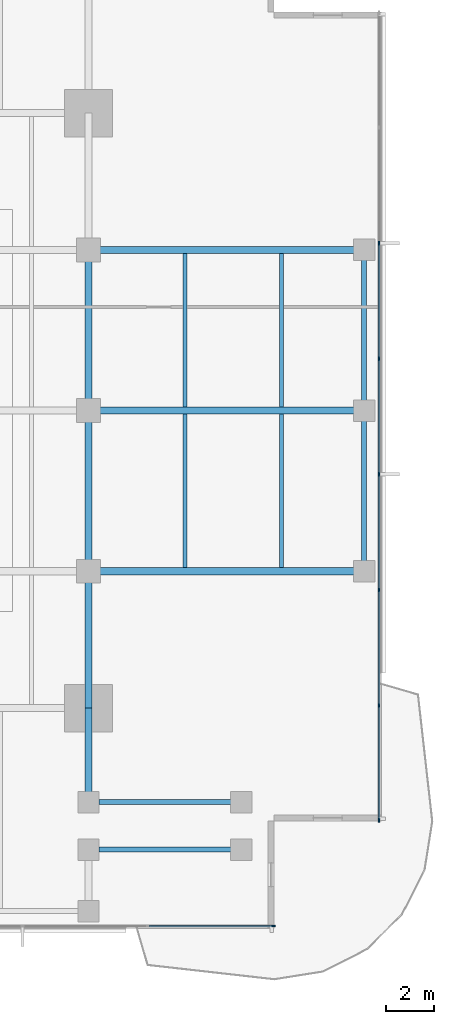
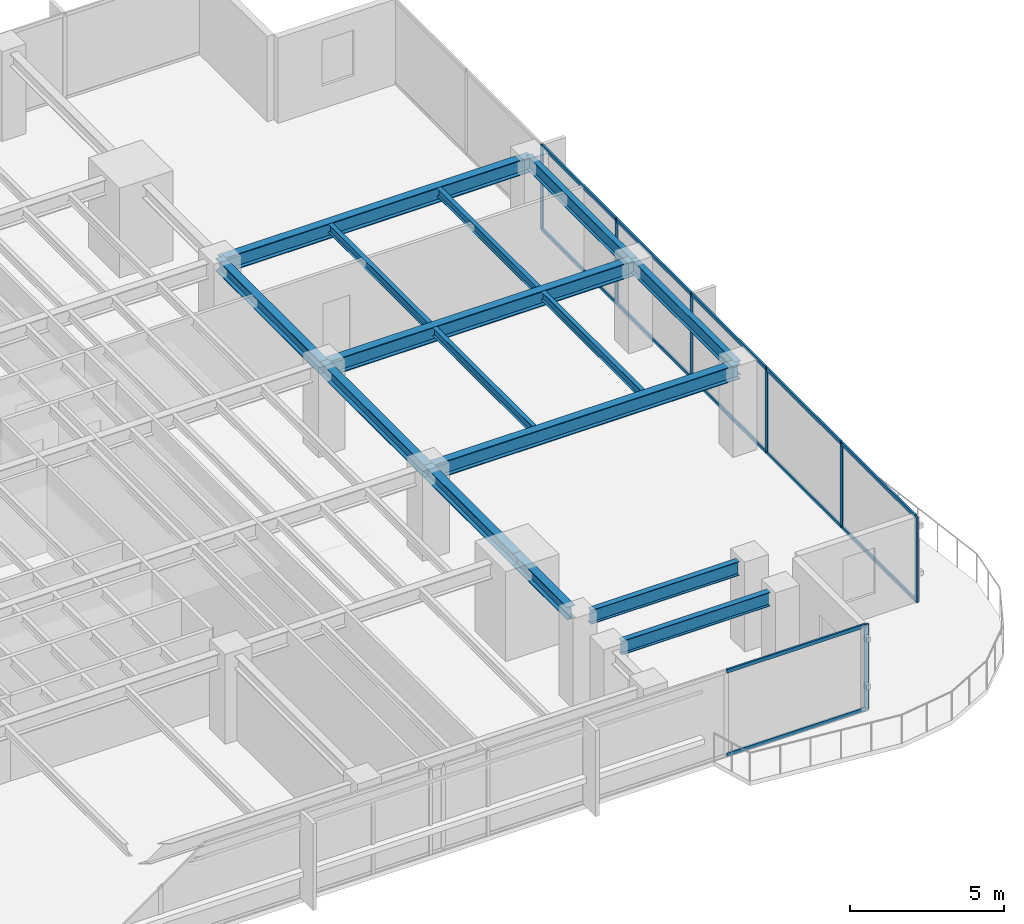
# One storey, part 4 of 14: 19 members, 15 beams, 2 elements without a shape of their own.
"""IFC4 building model written with IfcOpenShell, lengths in metres."""

from ifc_helpers import new_model, si_unit, direction, frame, origin, origin_2d, place, context, subcontext, project, spatial, rectangle, i_section, extrude, material, layer, layer_set, material_profile, profile_set, type_object, element, aggregate, save


model = new_model("IFC4")

# Units and contexts
model_context = context("Model", 3, precision=1e-05, world=origin(), true_north=direction((0.0, 1.0)))
body_context = subcontext(model_context, "Body", "Model", "MODEL_VIEW")
ifc_project = project(units=[si_unit("LENGTHUNIT", "METRE"), si_unit("AREAUNIT", "SQUARE_METRE"), si_unit("VOLUMEUNIT", "CUBIC_METRE"), si_unit("PLANEANGLEUNIT", "RADIAN"), si_unit("MASSUNIT", "GRAM", prefix="KILO")], contexts=[model_context])

# Site, building, storey
site_placement = place(None, origin())
site = spatial("IfcSite", under=ifc_project, at=site_placement, CompositionType="ELEMENT")
building_placement = place(site_placement, origin())
building = spatial("IfcBuilding", under=site, at=building_placement, Name="Kinhvarn Gate Tower", CompositionType="ELEMENT")
storey_placement = place(building_placement, frame((0.0, 0.0, 162.60009765625)))
storey = spatial("IfcBuildingStorey", under=building, at=storey_placement, Name="L43", CompositionType="ELEMENT", Elevation=162.60009765625)

# Curtain wall, member
ifc_material_1 = material(Name="Anodised aluminium AW-6063", Category="aluminium")
ifc_layer = layer(ifc_material_1, 0.179931640625)
ifc_layer_set = layer_set([ifc_layer], Name="Anodised aluminium AW-6063")
curtain_wall_type = type_object("IfcCurtainWallType", Name="CW-SYS-3", PredefinedType="NOTDEFINED", material=ifc_layer_set)
curtain_wall_1_placement = place(storey_placement, origin())
curtain_wall_1 = element("IfcCurtainWall", 1, at=curtain_wall_1_placement, inside=storey, type_object=curtain_wall_type, Name="Curtain Wall CW3 (L43)", PredefinedType="NOTDEFINED")
ifc_material_profile_1 = material_profile(ifc_material_1, rectangle(XDim=0.06494140625, YDim=0.159912109375, at=origin_2d()), Name="ALU 65x160")
ifc_profile_set_1 = profile_set([ifc_material_profile_1], Name="Anodised aluminium AW-6063")
member_type_1 = type_object("IfcMemberType", Name="CW-MUL-160", PredefinedType="MULLION", material=ifc_profile_set_1)
member_1_placement = place(storey_placement, frame((45.967529296875, 3.590087890625, 0.0), z_axis=(0.0, 0.0, 1.0), x_axis=(0.0, 1.0, 0.0)))
member_1 = element("IfcMember", 2, at=member_1_placement, type_object=member_type_1, Name="CW3 mullion 8", PredefinedType="MULLION", context=body_context, shape_type="SweptSolid", body=[
    extrude(rectangle(XDim=0.06494140625, YDim=0.159912109375, at=origin_2d()), origin(), (0.0, 0.0, 1.0), 3.369873046875),
])

# Curtain wall, members
curtain_wall_2_placement = place(storey_placement, origin())
curtain_wall_2 = element("IfcCurtainWall", 3, at=curtain_wall_2_placement, inside=storey, type_object=curtain_wall_type, Name="Curtain Wall CW3 (L43)", PredefinedType="NOTDEFINED")
member_2_placement = place(storey_placement, frame((50.409912109375, 8.032470703125, 0.0), z_axis=(0.0, 0.0, 1.0), x_axis=(-1.0, 0.0, 0.0)))
member_2 = element("IfcMember", 4, at=member_2_placement, type_object=member_type_1, Name="CW3 mullion 1", PredefinedType="MULLION", context=body_context, shape_type="SweptSolid", body=[
    extrude(rectangle(XDim=0.06494140625, YDim=0.159912109375, at=origin_2d()), origin(), (0.0, 0.0, 1.0), 3.369873046875),
])
member_3_placement = place(storey_placement, frame((50.409912109375, 12.857177734375, 0.0), z_axis=(0.0, 0.0, 1.0), x_axis=(-1.0, 0.0, 0.0)))
member_3 = element("IfcMember", 5, at=member_3_placement, type_object=member_type_1, Name="CW3 mullion 2", PredefinedType="MULLION", context=body_context, shape_type="SweptSolid", body=[
    extrude(rectangle(XDim=0.06494140625, YDim=0.159912109375, at=origin_2d()), origin(), (0.0, 0.0, 1.0), 3.369873046875),
])
member_4_placement = place(storey_placement, frame((50.409912109375, 17.71435546875, 0.0), z_axis=(0.0, 0.0, 1.0), x_axis=(-1.0, 0.0, 0.0)))
member_4 = element("IfcMember", 6, at=member_4_placement, type_object=member_type_1, Name="CW3 mullion 3", PredefinedType="MULLION", context=body_context, shape_type="SweptSolid", body=[
    extrude(rectangle(XDim=0.06494140625, YDim=0.159912109375, at=origin_2d()), origin(), (0.0, 0.0, 1.0), 3.369873046875),
])
member_5_placement = place(storey_placement, frame((50.409912109375, 22.571533203125, 0.0), z_axis=(0.0, 0.0, 1.0), x_axis=(-1.0, 0.0, 0.0)))
member_5 = element("IfcMember", 7, at=member_5_placement, type_object=member_type_1, Name="CW3 mullion 4", PredefinedType="MULLION", context=body_context, shape_type="SweptSolid", body=[
    extrude(rectangle(XDim=0.06494140625, YDim=0.159912109375, at=origin_2d()), origin(), (0.0, 0.0, 1.0), 3.369873046875),
])
member_6_placement = place(storey_placement, frame((50.409912109375, 27.428466796875, 0.0), z_axis=(0.0, 0.0, 1.0), x_axis=(-1.0, 0.0, 0.0)))
member_6 = element("IfcMember", 8, at=member_6_placement, type_object=member_type_1, Name="CW3 mullion 5", PredefinedType="MULLION", context=body_context, shape_type="SweptSolid", body=[
    extrude(rectangle(XDim=0.06494140625, YDim=0.159912109375, at=origin_2d()), origin(), (0.0, 0.0, 1.0), 3.369873046875),
])
member_7_placement = place(storey_placement, frame((50.409912109375, 32.28564453125, 0.0), z_axis=(0.0, 0.0, 1.0), x_axis=(-1.0, 0.0, 0.0)))
member_7 = element("IfcMember", 9, at=member_7_placement, type_object=member_type_1, Name="CW3 mullion 6", PredefinedType="MULLION", context=body_context, shape_type="SweptSolid", body=[
    extrude(rectangle(XDim=0.06494140625, YDim=0.159912109375, at=origin_2d()), origin(), (0.0, 0.0, 1.0), 3.369873046875),
])

# Member
ifc_material_profile_2 = material_profile(ifc_material_1, rectangle(XDim=0.070068359375, YDim=0.139892578125, at=origin_2d()), Name="ALU 70x140")
ifc_profile_set_2 = profile_set([ifc_material_profile_2], Name="Anodised aluminium AW-6063")
member_type_2 = type_object("IfcMemberType", Name="CW-TRN-140", PredefinedType="USERDEFINED", material=ifc_profile_set_2)
member_8_placement = place(storey_placement, frame((40.746826171875, 3.590087890625, 0.034912109375), z_axis=(1.0, 0.0, 0.0), x_axis=(0.0, 1.0, 0.0)))
member_8 = element("IfcMember", 10, at=member_8_placement, type_object=member_type_2, Name="CW3 transom 7.1", ObjectType="TRANSOM", PredefinedType="USERDEFINED", context=body_context, shape_type="SweptSolid", body=[
    extrude(rectangle(XDim=0.070068359375, YDim=0.139892578125, at=origin_2d()), origin(), (0.0, 0.0, 1.0), 5.188232421875),
])

member_9_placement = place(storey_placement, frame((40.746826171875, 3.590087890625, 3.3349609375), z_axis=(1.0, 0.0, 0.0), x_axis=(0.0, 1.0, 0.0)))
member_9 = element("IfcMember", 11, at=member_9_placement, type_object=member_type_2, Name="CW3 transom 7.2", ObjectType="TRANSOM", PredefinedType="USERDEFINED", context=body_context, shape_type="SweptSolid", body=[
    extrude(rectangle(XDim=0.070068359375, YDim=0.139892578125, at=origin_2d()), origin(), (0.0, 0.0, 1.0), 5.188232421875),
])

aggregate(curtain_wall_1, [member_1, member_8, member_9])

member_10_placement = place(storey_placement, frame((50.409912109375, 8.06494140625, 0.034912109375), z_axis=(0.0, 1.0, 0.0), x_axis=(-1.0, 0.0, 0.0)))
member_10 = element("IfcMember", 12, at=member_10_placement, type_object=member_type_2, Name="CW3 transom 1.1", ObjectType="TRANSOM", PredefinedType="USERDEFINED", context=body_context, shape_type="SweptSolid", body=[
    extrude(rectangle(XDim=0.070068359375, YDim=0.139892578125, at=origin_2d()), origin(), (0.0, 0.0, 1.0), 4.759765625),
])

member_11_placement = place(storey_placement, frame((50.409912109375, 8.06494140625, 3.3349609375), z_axis=(0.0, 1.0, 0.0), x_axis=(-1.0, 0.0, 0.0)))
member_11 = element("IfcMember", 13, at=member_11_placement, type_object=member_type_2, Name="CW3 transom 1.2", ObjectType="TRANSOM", PredefinedType="USERDEFINED", context=body_context, shape_type="SweptSolid", body=[
    extrude(rectangle(XDim=0.070068359375, YDim=0.139892578125, at=origin_2d()), origin(), (0.0, 0.0, 1.0), 4.759765625),
])

member_12_placement = place(storey_placement, frame((50.409912109375, 12.8896484375, 0.034912109375), z_axis=(0.0, 1.0, 0.0), x_axis=(-1.0, 0.0, 0.0)))
member_12 = element("IfcMember", 14, at=member_12_placement, type_object=member_type_2, Name="CW3 transom 2.1", ObjectType="TRANSOM", PredefinedType="USERDEFINED", context=body_context, shape_type="SweptSolid", body=[
    extrude(rectangle(XDim=0.070068359375, YDim=0.139892578125, at=origin_2d()), origin(), (0.0, 0.0, 1.0), 4.792236328125),
])

member_13_placement = place(storey_placement, frame((50.409912109375, 12.8896484375, 3.3349609375), z_axis=(0.0, 1.0, 0.0), x_axis=(-1.0, 0.0, 0.0)))
member_13 = element("IfcMember", 15, at=member_13_placement, type_object=member_type_2, Name="CW3 transom 2.2", ObjectType="TRANSOM", PredefinedType="USERDEFINED", context=body_context, shape_type="SweptSolid", body=[
    extrude(rectangle(XDim=0.070068359375, YDim=0.139892578125, at=origin_2d()), origin(), (0.0, 0.0, 1.0), 4.792236328125),
])

member_14_placement = place(storey_placement, frame((50.409912109375, 17.746826171875, 0.034912109375), z_axis=(0.0, 1.0, 0.0), x_axis=(-1.0, 0.0, 0.0)))
member_14 = element("IfcMember", 16, at=member_14_placement, type_object=member_type_2, Name="CW3 transom 3.1", ObjectType="TRANSOM", PredefinedType="USERDEFINED", context=body_context, shape_type="SweptSolid", body=[
    extrude(rectangle(XDim=0.070068359375, YDim=0.139892578125, at=origin_2d()), origin(), (0.0, 0.0, 1.0), 4.7919921875),
])

member_15_placement = place(storey_placement, frame((50.409912109375, 17.746826171875, 3.3349609375), z_axis=(0.0, 1.0, 0.0), x_axis=(-1.0, 0.0, 0.0)))
member_15 = element("IfcMember", 17, at=member_15_placement, type_object=member_type_2, Name="CW3 transom 3.2", ObjectType="TRANSOM", PredefinedType="USERDEFINED", context=body_context, shape_type="SweptSolid", body=[
    extrude(rectangle(XDim=0.070068359375, YDim=0.139892578125, at=origin_2d()), origin(), (0.0, 0.0, 1.0), 4.7919921875),
])

member_16_placement = place(storey_placement, frame((50.409912109375, 22.60400390625, 0.034912109375), z_axis=(0.0, 1.0, 0.0), x_axis=(-1.0, 0.0, 0.0)))
member_16 = element("IfcMember", 18, at=member_16_placement, type_object=member_type_2, Name="CW3 transom 4.1", ObjectType="TRANSOM", PredefinedType="USERDEFINED", context=body_context, shape_type="SweptSolid", body=[
    extrude(rectangle(XDim=0.070068359375, YDim=0.139892578125, at=origin_2d()), origin(), (0.0, 0.0, 1.0), 4.7919921875),
])

member_17_placement = place(storey_placement, frame((50.409912109375, 22.60400390625, 3.3349609375), z_axis=(0.0, 1.0, 0.0), x_axis=(-1.0, 0.0, 0.0)))
member_17 = element("IfcMember", 19, at=member_17_placement, type_object=member_type_2, Name="CW3 transom 4.2", ObjectType="TRANSOM", PredefinedType="USERDEFINED", context=body_context, shape_type="SweptSolid", body=[
    extrude(rectangle(XDim=0.070068359375, YDim=0.139892578125, at=origin_2d()), origin(), (0.0, 0.0, 1.0), 4.7919921875),
])

member_18_placement = place(storey_placement, frame((50.409912109375, 27.461181640625, 0.034912109375), z_axis=(0.0, 1.0, 0.0), x_axis=(-1.0, 0.0, 0.0)))
member_18 = element("IfcMember", 20, at=member_18_placement, type_object=member_type_2, Name="CW3 transom 5.1", ObjectType="TRANSOM", PredefinedType="USERDEFINED", context=body_context, shape_type="SweptSolid", body=[
    extrude(rectangle(XDim=0.070068359375, YDim=0.139892578125, at=origin_2d()), origin(), (0.0, 0.0, 1.0), 4.7919921875),
])

member_19_placement = place(storey_placement, frame((50.409912109375, 27.461181640625, 3.3349609375), z_axis=(0.0, 1.0, 0.0), x_axis=(-1.0, 0.0, 0.0)))
member_19 = element("IfcMember", 21, at=member_19_placement, type_object=member_type_2, Name="CW3 transom 5.2", ObjectType="TRANSOM", PredefinedType="USERDEFINED", context=body_context, shape_type="SweptSolid", body=[
    extrude(rectangle(XDim=0.070068359375, YDim=0.139892578125, at=origin_2d()), origin(), (0.0, 0.0, 1.0), 4.7919921875),
])

aggregate(curtain_wall_2, [member_2, member_3, member_4, member_5, member_6, member_7, member_10, member_11, member_12, member_13, member_14, member_15, member_16, member_17, member_18, member_19])

# Beams
ifc_material_2 = material(Name="Steel S355", Category="steel")
ifc_material_profile_3 = material_profile(ifc_material_2, i_section(OverallWidth=0.300048828125, OverallDepth=0.5, WebThickness=0.014404296875, FlangeThickness=0.028076171875, at=origin_2d()), Name="HEB 500")
ifc_profile_set_3 = profile_set([ifc_material_profile_3], Name="Steel S355")
beam_type_1 = type_object("IfcBeamType", Name="STL-HEB500", PredefinedType="BEAM", material=ifc_profile_set_3)
beam_1_placement = place(storey_placement, frame((38.199951171875, 9.235107421875, 3.119873046875), z_axis=(0.0, 1.0, 0.0), x_axis=(-1.0, 0.0, 0.0)))
element("IfcBeam", 22, at=beam_1_placement, inside=storey, type_object=beam_type_1, Name="Floor Beam PG-14 (L43 MCE-S-A2)", PredefinedType="BEAM", context=body_context, shape_type="SweptSolid", body=[
    extrude(i_section(OverallWidth=0.300048828125, OverallDepth=0.5, WebThickness=0.014404296875, FlangeThickness=0.028076171875, at=origin_2d()), origin(), (0.0, 0.0, 1.0), 3.514892578125),
])
beam_2_placement = place(storey_placement, frame((38.199951171875, 12.75, 3.119873046875), z_axis=(0.0, 1.0, 0.0), x_axis=(-1.0, 0.0, 0.0)))
element("IfcBeam", 23, at=beam_2_placement, inside=storey, type_object=beam_type_1, Name="Floor Beam PG-14 (L43 MG-E-12)", PredefinedType="BEAM", context=body_context, shape_type="SweptSolid", body=[
    extrude(i_section(OverallWidth=0.300048828125, OverallDepth=0.5, WebThickness=0.014404296875, FlangeThickness=0.028076171875, at=origin_2d()), origin(), (0.0, 0.0, 1.0), 5.75),
])
for number, where, z_axis, x_axis, name in (
    (24, (38.199951171875, 18.5, 3.119873046875), (0.0, 1.0, 0.0), (-1.0, 0.0, 0.0), "Floor Beam PG-14 (L43 MG-E-18)"),
    (25, (38.199951171875, 25.25, 3.119873046875), (0.0, 1.0, 0.0), (-1.0, 0.0, 0.0), "Floor Beam PG-14 (L43 MG-E-25)"),
):
    element("IfcBeam", number, at=place(storey_placement, frame(where, z_axis=z_axis, x_axis=x_axis)), inside=storey, type_object=beam_type_1, Name=name, PredefinedType="BEAM", context=body_context, shape_type="SweptSolid", body=[
        extrude(i_section(OverallWidth=0.300048828125, OverallDepth=0.5, WebThickness=0.014404296875, FlangeThickness=0.028076171875, at=origin_2d()), origin(), (0.0, 0.0, 1.0), 6.75),
    ])
ifc_material_profile_4 = material_profile(ifc_material_2, i_section(OverallWidth=0.300048828125, OverallDepth=0.60009765625, WebThickness=0.015380859375, FlangeThickness=0.030029296875, at=origin_2d()), Name="HEB 600")
ifc_profile_set_4 = profile_set([ifc_material_profile_4], Name="Steel S355")
beam_type_2 = type_object("IfcBeamType", Name="STL-HEB600", PredefinedType="BEAM", material=ifc_profile_set_4)
for number, where, z_axis, x_axis, name in (
    (26, (38.199951171875, 18.5, 3.06982421875), (1.0, 0.0, 0.0), (0.0, 1.0, 0.0), "Floor Beam PG-16 (L43 EW2-Y18)"),
    (27, (38.199951171875, 25.25, 3.06982421875), (1.0, 0.0, 0.0), (0.0, 1.0, 0.0), "Floor Beam PG-16 (L43 EW2-Y25)"),
    (28, (38.199951171875, 32.0, 3.06982421875), (1.0, 0.0, 0.0), (0.0, 1.0, 0.0), "Floor Beam PG-16 (L43 EW2-Y32)"),
):
    element("IfcBeam", number, at=place(storey_placement, frame(where, z_axis=z_axis, x_axis=x_axis)), inside=storey, type_object=beam_type_2, Name=name, PredefinedType="BEAM", context=body_context, shape_type="SweptSolid", body=[
        extrude(i_section(OverallWidth=0.300048828125, OverallDepth=0.60009765625, WebThickness=0.015380859375, FlangeThickness=0.030029296875, at=origin_2d()), origin(), (0.0, 0.0, 1.0), 11.580078125),
    ])
ifc_material_profile_5 = material_profile(ifc_material_2, i_section(OverallWidth=0.159912109375, OverallDepth=0.330078125, WebThickness=0.007568359375, FlangeThickness=0.011474609375, at=origin_2d()), Name="IPE 330")
ifc_profile_set_5 = profile_set([ifc_material_profile_5], Name="Steel S355")
beam_type_3 = type_object("IfcBeamType", Name="STL-IPE330", PredefinedType="JOIST", material=ifc_profile_set_5)
for number, where, z_axis, x_axis, name in (
    (29, (42.25, 18.64990234375, 3.204833984375), (0.0, 1.0, 0.0), (-1.0, 0.0, 0.0), "Floor Joist SB-03 (L43 JC-X422-1)"),
    (30, (42.25, 25.39990234375, 3.204833984375), (0.0, 1.0, 0.0), (-1.0, 0.0, 0.0), "Floor Joist SB-03 (L43 JC-X422-2)"),
    (31, (46.31005859375, 18.64990234375, 3.204833984375), (0.0, 1.0, 0.0), (-1.0, 0.0, 0.0), "Floor Joist SB-03 (L43 JC-X463-1)"),
    (32, (46.31005859375, 25.39990234375, 3.204833984375), (0.0, 1.0, 0.0), (-1.0, 0.0, 0.0), "Floor Joist SB-03 (L43 JC-X463-2)"),
):
    element("IfcBeam", number, at=place(storey_placement, frame(where, z_axis=z_axis, x_axis=x_axis)), inside=storey, type_object=beam_type_3, Name=name, PredefinedType="JOIST", context=body_context, shape_type="SweptSolid", body=[
        extrude(i_section(OverallWidth=0.159912109375, OverallDepth=0.330078125, WebThickness=0.007568359375, FlangeThickness=0.011474609375, at=origin_2d()), origin(), (0.0, 0.0, 1.0), 6.4501953125),
    ])
ifc_material_profile_6 = material_profile(ifc_material_2, i_section(OverallWidth=0.2099609375, OverallDepth=0.550048828125, WebThickness=0.010986328125, FlangeThickness=0.01708984375, at=origin_2d()), Name="IPE 550")
ifc_profile_set_6 = profile_set([ifc_material_profile_6], Name="Steel S355")
beam_type_4 = type_object("IfcBeamType", Name="STL-IPE550", PredefinedType="SPANDREL", material=ifc_profile_set_6)
for number, where, z_axis, x_axis, name in (
    (33, (38.635009765625, 8.800048828125, 3.094970703125), (1.0, 0.0, 0.0), (0.0, 1.0, 0.0), "Floor Spandrel SB-08 (L43 SP-SE2)"),
    (34, (38.635009765625, 6.800048828125, 3.094970703125), (1.0, 0.0, 0.0), (0.0, 1.0, 0.0), "Floor Spandrel SB-08 (L43 SP-SE2-S)"),
):
    element("IfcBeam", number, at=place(storey_placement, frame(where, z_axis=z_axis, x_axis=x_axis)), inside=storey, type_object=beam_type_4, Name=name, PredefinedType="SPANDREL", context=body_context, shape_type="SweptSolid", body=[
        extrude(i_section(OverallWidth=0.2099609375, OverallDepth=0.550048828125, WebThickness=0.010986328125, FlangeThickness=0.01708984375, at=origin_2d()), origin(), (0.0, 0.0, 1.0), 5.550048828125),
    ])
for number, where, z_axis, x_axis, name in (
    (35, (49.780029296875, 18.5, 3.094970703125), (0.0, 1.0, 0.0), (-1.0, 0.0, 0.0), "Floor Spandrel SB-08 (L43 SP-E2)"),
    (36, (49.780029296875, 25.25, 3.094970703125), (0.0, 1.0, 0.0), (-1.0, 0.0, 0.0), "Floor Spandrel SB-08 (L43 SP-E3)"),
):
    element("IfcBeam", number, at=place(storey_placement, frame(where, z_axis=z_axis, x_axis=x_axis)), inside=storey, type_object=beam_type_4, Name=name, PredefinedType="SPANDREL", context=body_context, shape_type="SweptSolid", body=[
        extrude(i_section(OverallWidth=0.2099609375, OverallDepth=0.550048828125, WebThickness=0.010986328125, FlangeThickness=0.01708984375, at=origin_2d()), origin(), (0.0, 0.0, 1.0), 6.75),
    ])

save(model, "model.ifc")
